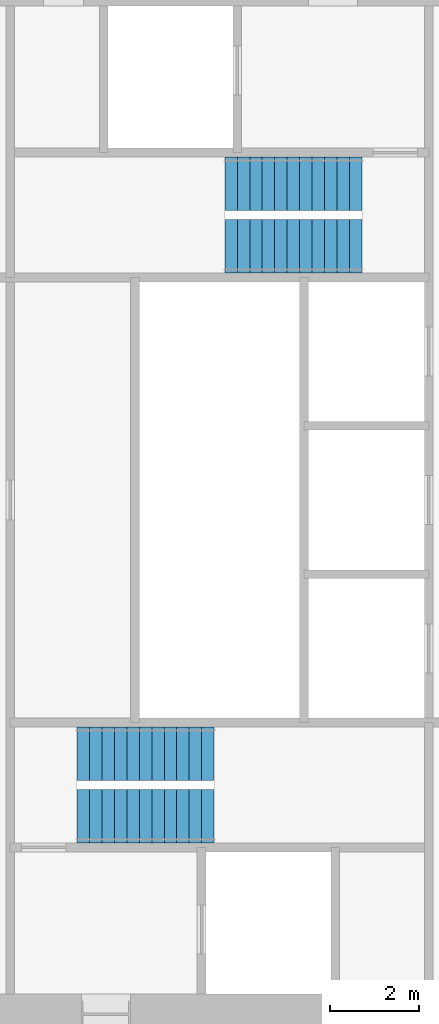
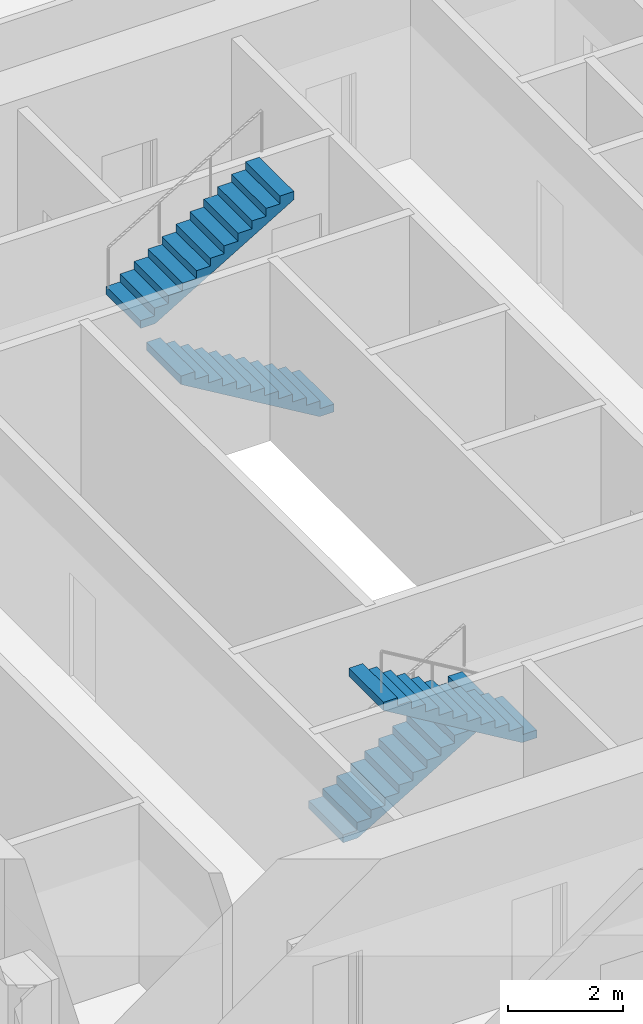
# One storey, part 12 of 14: 4 stair flights, 2 elements without a shape of their own.
"""IFC4 building model written with IfcOpenShell, lengths in metres."""

from ifc_helpers import new_model, si_unit, direction, frame, origin, place, context, subcontext, project, spatial, polyline, outline, extrude, material, type_object, element, aggregate, save


model = new_model("IFC4")

# Units and contexts
model_context = context("Model", 3, precision=1e-05, world=origin(), true_north=direction((0.0, 1.0)))
body_context = subcontext(model_context, "Body", "Model", "MODEL_VIEW")
ifc_project = project(units=[si_unit("LENGTHUNIT", "METRE"), si_unit("AREAUNIT", "SQUARE_METRE"), si_unit("VOLUMEUNIT", "CUBIC_METRE"), si_unit("PLANEANGLEUNIT", "RADIAN"), si_unit("MASSUNIT", "GRAM", prefix="KILO")], contexts=[model_context])

# Site, building, storey
site_placement = place(None, origin())
site = spatial("IfcSite", under=ifc_project, at=site_placement, CompositionType="ELEMENT")
building_placement = place(site_placement, origin())
building = spatial("IfcBuilding", under=site, at=building_placement, Name="Fenwick Lantern Interchange", CompositionType="ELEMENT")
storey_placement = place(building_placement, frame((0.0, 0.0, 185.800048828125)))
storey = spatial("IfcBuildingStorey", under=building, at=storey_placement, Name="L43", CompositionType="ELEMENT", Elevation=185.800048828125)

# Stair, stair flights
ifc_material = material(Name="Precast concrete f'c 35 MPa", Category="concrete")
stair_type = type_object("IfcStairType", Name="EXIT STAIR 1200", PredefinedType="HALF_TURN_STAIR", material=ifc_material)
stair_1_placement = place(storey_placement, origin())
stair_1 = element("IfcStair", 1, at=stair_1_placement, inside=storey, type_object=stair_type, Name="Exit stair ST1", PredefinedType="HALF_TURN_STAIR")
stair_flight_type = type_object("IfcStairFlightType", Name="STAIR FLIGHT 1200", PredefinedType="STRAIGHT", material=ifc_material)
stair_flight_1_placement = place(storey_placement, frame((21.800048828125, 19.300048828125, 0.0), z_axis=(0.0, 0.0, 1.0), x_axis=(1.0, 0.0, 0.0)))
stair_flight_1 = element("IfcStairFlight", 2, at=stair_flight_1_placement, type_object=stair_flight_type, Name="ST1 flight 1", NumberOfRisers=12, NumberOfTreads=11, PredefinedType="STRAIGHT", RiserHeight=0.166666667, TreadLength=0.28, context=body_context, shape_type="SweptSolid", body=[
    extrude(outline(polyline([(0.0, 0.0), (0.0, 0.166748046875), (0.280029296875, 0.166748046875), (0.280029296875, 0.333251953125), (0.56005859375, 0.333251953125), (0.56005859375, 0.5), (0.840087890625, 0.5), (0.840087890625, 0.666748046875), (1.1201171875, 0.666748046875), (1.1201171875, 0.833251953125), (1.39990234375, 0.833251953125), (1.39990234375, 1.0), (1.679931640625, 1.0), (1.679931640625, 1.166748046875), (1.9599609375, 1.166748046875), (1.9599609375, 1.333251953125), (2.239990234375, 1.333251953125), (2.239990234375, 1.5), (2.52001953125, 1.5), (2.52001953125, 1.666748046875), (2.800048828125, 1.666748046875), (2.800048828125, 1.833251953125), (3.080078125, 1.833251953125), (3.080078125, 2.0), (3.080078125, 1.658935546875), (0.29296875, 0.0), (0.0, 0.0)])), frame((0.0, 0.60009765625, 0.0), z_axis=(0.0, -1.0, 0.0), x_axis=(1.0, 0.0, 0.0)), (0.0, 0.0, 1.0), 1.199951171875),
])
stair_flight_2_placement = place(storey_placement, frame((24.8798828125, 17.89990234375, 2.0), z_axis=(0.0, 0.0, 1.0), x_axis=(-1.0, 0.0, 0.0)))
stair_flight_2 = element("IfcStairFlight", 3, at=stair_flight_2_placement, type_object=stair_flight_type, Name="ST1 flight 2", NumberOfRisers=12, NumberOfTreads=11, PredefinedType="STRAIGHT", RiserHeight=0.166666667, TreadLength=0.28, context=body_context, shape_type="SweptSolid", body=[
    extrude(outline(polyline([(0.0, 0.0), (0.0, 0.166748046875), (0.280029296875, 0.166748046875), (0.280029296875, 0.333251953125), (0.56005859375, 0.333251953125), (0.56005859375, 0.5), (0.840087890625, 0.5), (0.840087890625, 0.666748046875), (1.1201171875, 0.666748046875), (1.1201171875, 0.833251953125), (1.39990234375, 0.833251953125), (1.39990234375, 1.0), (1.679931640625, 1.0), (1.679931640625, 1.166748046875), (1.9599609375, 1.166748046875), (1.9599609375, 1.333251953125), (2.239990234375, 1.333251953125), (2.239990234375, 1.5), (2.52001953125, 1.5), (2.52001953125, 1.666748046875), (2.800048828125, 1.666748046875), (2.800048828125, 1.833251953125), (3.080078125, 1.833251953125), (3.080078125, 2.0), (3.080078125, 1.658935546875), (0.29296875, 0.0), (0.0, 0.0)])), frame((0.0, 0.60009765625, 0.0), z_axis=(0.0, -1.0, 0.0), x_axis=(1.0, 0.0, 0.0)), (0.0, 0.0, 1.0), 1.199951171875),
])
aggregate(stair_1, [stair_flight_1, stair_flight_2])

stair_2_placement = place(storey_placement, origin())
stair_2 = element("IfcStair", 4, at=stair_2_placement, inside=storey, type_object=stair_type, Name="Exit stair ST2", PredefinedType="HALF_TURN_STAIR")
stair_flight_3_placement = place(storey_placement, frame((28.199951171875, 30.699951171875, 0.0), z_axis=(0.0, 0.0, 1.0), x_axis=(-1.0, 0.0, 0.0)))
stair_flight_3 = element("IfcStairFlight", 5, at=stair_flight_3_placement, type_object=stair_flight_type, Name="ST2 flight 1", NumberOfRisers=12, NumberOfTreads=11, PredefinedType="STRAIGHT", RiserHeight=0.166666667, TreadLength=0.28, context=body_context, shape_type="SweptSolid", body=[
    extrude(outline(polyline([(0.0, 0.0), (0.0, 0.166748046875), (0.280029296875, 0.166748046875), (0.280029296875, 0.333251953125), (0.56005859375, 0.333251953125), (0.56005859375, 0.5), (0.840087890625, 0.5), (0.840087890625, 0.666748046875), (1.1201171875, 0.666748046875), (1.1201171875, 0.833251953125), (1.39990234375, 0.833251953125), (1.39990234375, 1.0), (1.679931640625, 1.0), (1.679931640625, 1.166748046875), (1.9599609375, 1.166748046875), (1.9599609375, 1.333251953125), (2.239990234375, 1.333251953125), (2.239990234375, 1.5), (2.52001953125, 1.5), (2.52001953125, 1.666748046875), (2.800048828125, 1.666748046875), (2.800048828125, 1.833251953125), (3.080078125, 1.833251953125), (3.080078125, 2.0), (3.080078125, 1.658935546875), (0.29296875, 0.0), (0.0, 0.0)])), frame((0.0, 0.60009765625, 0.0), z_axis=(0.0, -1.0, 0.0), x_axis=(1.0, 0.0, 0.0)), (0.0, 0.0, 1.0), 1.199951171875),
])
stair_flight_4_placement = place(storey_placement, frame((25.1201171875, 32.10009765625, 2.0), z_axis=(0.0, 0.0, 1.0), x_axis=(1.0, 0.0, 0.0)))
stair_flight_4 = element("IfcStairFlight", 6, at=stair_flight_4_placement, type_object=stair_flight_type, Name="ST2 flight 2", NumberOfRisers=12, NumberOfTreads=11, PredefinedType="STRAIGHT", RiserHeight=0.166666667, TreadLength=0.28, context=body_context, shape_type="SweptSolid", body=[
    extrude(outline(polyline([(0.0, 0.0), (0.0, 0.166748046875), (0.280029296875, 0.166748046875), (0.280029296875, 0.333251953125), (0.56005859375, 0.333251953125), (0.56005859375, 0.5), (0.840087890625, 0.5), (0.840087890625, 0.666748046875), (1.1201171875, 0.666748046875), (1.1201171875, 0.833251953125), (1.39990234375, 0.833251953125), (1.39990234375, 1.0), (1.679931640625, 1.0), (1.679931640625, 1.166748046875), (1.9599609375, 1.166748046875), (1.9599609375, 1.333251953125), (2.239990234375, 1.333251953125), (2.239990234375, 1.5), (2.52001953125, 1.5), (2.52001953125, 1.666748046875), (2.800048828125, 1.666748046875), (2.800048828125, 1.833251953125), (3.080078125, 1.833251953125), (3.080078125, 2.0), (3.080078125, 1.658935546875), (0.29296875, 0.0), (0.0, 0.0)])), frame((0.0, 0.60009765625, 0.0), z_axis=(0.0, -1.0, 0.0), x_axis=(1.0, 0.0, 0.0)), (0.0, 0.0, 1.0), 1.199951171875),
])
aggregate(stair_2, [stair_flight_3, stair_flight_4])

save(model, "model.ifc")
